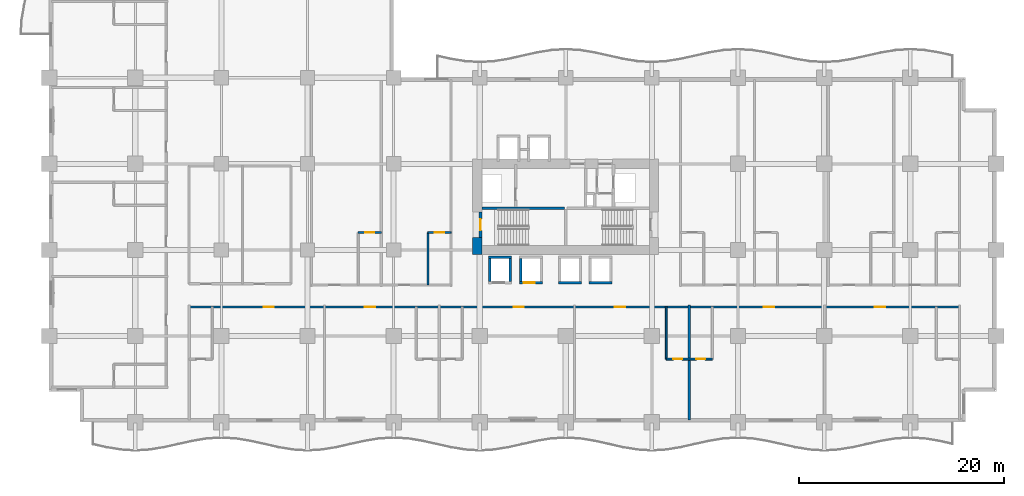
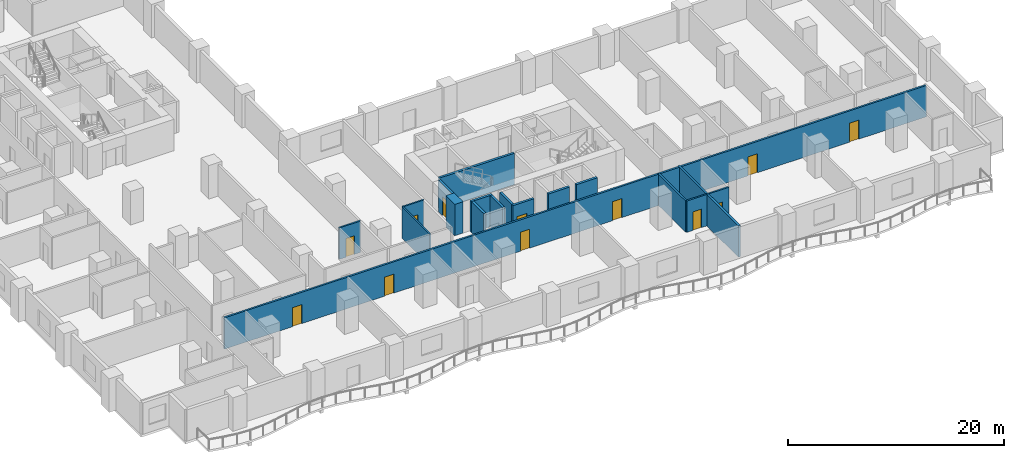
# One storey, part 9 of 24: 17 walls, 12 doors, 12 openings.
"""IFC4 building model written with IfcOpenShell, lengths in metres."""

import ifcopenshell
import ifcopenshell.guid

model = None  # the IFC model being written
_history = None  # IfcOwnerHistory: only IFC2X3 demands one
_inside = {}  # id of a spatial element -> (the spatial element, [elements in it])
_under = {}  # id of a project, library or spatial element -> (it, [spatial elements below it])
_declared = {}  # id of a project -> (the project, [libraries it declares])
_typed = {}  # id of a type object -> (the type object, [elements of that type])
_made_of = {}  # id of a material, layer set ... -> (it, [elements and type objects made of it])


def new_model(schema):
    """Start an empty IFC model of exactly this schema.

    Asked for "IFC4X3", IfcOpenShell would pick the latest addendum, in which some entities
    have other attributes; the version numbers below select the first issue.
    IFC2X3 requires an IfcOwnerHistory on every rooted entity: one is made here for all.
    """
    global model, _history
    if schema == "IFC4X3":
        model = ifcopenshell.file(schema_version=(4, 3, 0, 0))
    else:
        model = ifcopenshell.file(schema=schema)
    _inside.clear()
    _under.clear()
    _declared.clear()
    _typed.clear()
    _made_of.clear()
    _history = None
    if model.schema == "IFC2X3":
        org = make("IfcOrganization", Name="unknown")
        user = make(
            "IfcPersonAndOrganization",
            ThePerson=make("IfcPerson", FamilyName="unknown"),
            TheOrganization=org,
        )
        app = make(
            "IfcApplication",
            ApplicationDeveloper=org,
            Version="unknown",
            ApplicationFullName="unknown",
            ApplicationIdentifier="unknown",
        )
        _history = make(
            "IfcOwnerHistory",
            OwningUser=user,
            OwningApplication=app,
            ChangeAction="ADDED",
            CreationDate=0,
        )
    return model


def make(cls, **values):
    """One entity of the class cls with the attributes given. An attribute that is None is left unset."""
    return model.create_entity(
        cls, **{name: value for name, value in values.items() if value is not None}
    )


def rooted(cls, **values):
    """An entity with a GlobalId (a new one), such as an element, a storey or a relation."""
    return make(cls, GlobalId=ifcopenshell.guid.new(), OwnerHistory=_history, **values)


def si_unit(unit_type, name, prefix=None):
    """IfcSIUnit, for example si_unit("LENGTHUNIT", "METRE", prefix="MILLI")."""
    return make("IfcSIUnit", UnitType=unit_type, Prefix=prefix, Name=name)


def assignment(units):
    """IfcUnitAssignment: the units of a project."""
    return None if units is None else make("IfcUnitAssignment", Units=units)


def point(xyz):
    """IfcCartesianPoint."""
    return None if xyz is None else make("IfcCartesianPoint", Coordinates=xyz)


def direction(xyz):
    """IfcDirection."""
    return None if xyz is None else make("IfcDirection", DirectionRatios=xyz)


def frame(location, z_axis=None, x_axis=None):
    """IfcAxis2Placement3D, a coordinate frame: its origin and axes. An axis left out is left unset."""
    return make(
        "IfcAxis2Placement3D",
        Location=point(location),
        Axis=direction(z_axis),
        RefDirection=direction(x_axis),
    )


def frame_2d(location, x_axis=None):
    """IfcAxis2Placement2D, a coordinate frame in the plane: its origin and x axis."""
    return make(
        "IfcAxis2Placement2D", Location=point(location), RefDirection=direction(x_axis)
    )


def origin():
    """The frame at (0, 0, 0) with its axes left unset."""
    return frame((0.0, 0.0, 0.0))


def place(relative_to, where):
    """IfcLocalPlacement: puts the frame where relative to a parent placement (None: the world)."""
    return make(
        "IfcLocalPlacement", PlacementRelTo=relative_to, RelativePlacement=where
    )


def context(
    kind, dimensions, precision=None, world=None, true_north=None, identifier=None
):
    """IfcGeometricRepresentationContext, for example the 3D "Model" context."""
    return make(
        "IfcGeometricRepresentationContext",
        ContextIdentifier=identifier,
        ContextType=kind,
        CoordinateSpaceDimension=dimensions,
        Precision=precision,
        WorldCoordinateSystem=world,
        TrueNorth=true_north,
    )


def subcontext(parent, identifier, kind, view, scale=None):
    """IfcGeometricRepresentationSubContext, for example "Body" below "Model"."""
    return make(
        "IfcGeometricRepresentationSubContext",
        ContextIdentifier=identifier,
        ContextType=kind,
        ParentContext=parent,
        TargetScale=scale,
        TargetView=view,
    )


def project(units=None, contexts=None):
    """IfcProject with its units and contexts."""
    return rooted(
        "IfcProject",
        Name="project",
        RepresentationContexts=contexts,
        UnitsInContext=assignment(units),
    )


def spatial(cls, under=None, at=None, **own):
    """A site, building, storey or space (cls), placed at a placement, below another one or the project."""
    s = rooted(cls, ObjectPlacement=at, **own)
    if under is not None:
        _under.setdefault(under.id(), (under, []))[1].append(s)
    return s


def profile(cls, at=None, kind="AREA", **sizes):
    """A parametric profile (cls). Its sizes go by their IFC names, for example OverallWidth=200.0."""
    return make(cls, ProfileType=kind, Position=at, **sizes)


def rectangle(**sizes):
    """IfcRectangleProfileDef."""
    return profile("IfcRectangleProfileDef", **sizes)


def extrude(swept, where, along, depth):
    """IfcExtrudedAreaSolid: the profile swept, set in the frame where, extruded along a direction by depth."""
    return make(
        "IfcExtrudedAreaSolid",
        SweptArea=swept,
        Position=where,
        ExtrudedDirection=direction(along),
        Depth=depth,
    )


def shape(context_of_items, identifier, shape_type, items):
    """IfcShapeRepresentation: the items that make up one representation, for example the "Body"."""
    return make(
        "IfcShapeRepresentation",
        ContextOfItems=context_of_items,
        RepresentationIdentifier=identifier,
        RepresentationType=shape_type,
        Items=items,
    )


def material(Name=None, Category=None):
    """IfcMaterial."""
    return make("IfcMaterial", Name=Name, Category=Category)


def layer(
    of_material, thickness, ventilated=None, Name=None, Category=None, Priority=None
):
    """IfcMaterialLayer: one layer of a wall or slab, of a material (None: an air gap)."""
    return make(
        "IfcMaterialLayer",
        Material=of_material,
        LayerThickness=thickness,
        IsVentilated=ventilated,
        Name=Name,
        Category=Category,
        Priority=Priority,
    )


def layer_set(layers, Name=None):
    """IfcMaterialLayerSet."""
    return make("IfcMaterialLayerSet", MaterialLayers=layers, LayerSetName=Name)


def made_of(thing, what):
    """Note that an element or type object is made of a material, layer set ...; save() writes the relation."""
    if what is not None:
        _made_of.setdefault(what.id(), (what, []))[1].append(thing)
    return thing


def type_object(cls, material=None, **own):
    """A type object (cls), such as IfcWallType, which elements share."""
    return made_of(rooted(cls, **own), material)


def element(
    cls,
    number,
    at=None,
    inside=None,
    cuts=None,
    type_object=None,
    material=None,
    context=None,
    identifier="Body",
    shape_type=None,
    held_by="IfcProductDefinitionShape",
    body=None,
    shapes=None,
    **own,
):
    """One element of the class cls, such as IfcWall. Its Tag is "e" and its number.

    at: its placement. inside: the storey or other place that contains it. cuts: it is an
    opening in that element (IfcRelVoidsElement). A single representation is given by context,
    identifier, shape_type and body (its items); several are given by shapes. held_by: the class
    of the entity that holds the representations. save() writes the other relations.
    """
    e = rooted(cls, Tag="e%d" % number, ObjectPlacement=at, **own)
    if body is not None:
        shapes = [shape(context, identifier, shape_type, body)]
    if shapes is not None:
        e.Representation = make(held_by, Representations=shapes)
    if inside is not None:
        _inside.setdefault(inside.id(), (inside, []))[1].append(e)
    if cuts is not None:
        rooted(
            "IfcRelVoidsElement", RelatingBuildingElement=cuts, RelatedOpeningElement=e
        )
    if type_object is not None:
        _typed.setdefault(type_object.id(), (type_object, []))[1].append(e)
    return made_of(e, material)


def fill(opening, filler):
    """IfcRelFillsElement: the door or window that sits in an opening."""
    return rooted(
        "IfcRelFillsElement",
        RelatingOpeningElement=opening,
        RelatedBuildingElement=filler,
    )


def aggregate(whole, parts):
    """IfcRelAggregates: a whole, such as a stair, and the parts it consists of."""
    return rooted("IfcRelAggregates", RelatingObject=whole, RelatedObjects=parts)


def save(model, path):
    """Write the relations noted so far, then the file.

    IfcRelAggregates (storeys below a building ...), IfcRelContainedInSpatialStructure (elements
    in a storey), IfcRelDefinesByType, IfcRelAssociatesMaterial and IfcRelDeclares: one each for
    every whole, place, type object, material and project.
    """
    for whole, parts in _under.values():
        aggregate(whole, parts)
    for where, things in _inside.values():
        rooted(
            "IfcRelContainedInSpatialStructure",
            RelatedElements=things,
            RelatingStructure=where,
        )
    for kind, things in _typed.values():
        rooted("IfcRelDefinesByType", RelatedObjects=things, RelatingType=kind)
    for what, things in _made_of.values():
        rooted("IfcRelAssociatesMaterial", RelatedObjects=things, RelatingMaterial=what)
    for by, libraries in _declared.values():
        rooted("IfcRelDeclares", RelatingContext=by, RelatedDefinitions=libraries)
    model.write(path)


model = new_model("IFC4")

# Units and contexts
model_context = context("Model", 3, precision=1e-05, world=origin(), true_north=direction((0.0, 1.0)))
body_context = subcontext(model_context, "Body", "Model", "MODEL_VIEW")
ifc_project = project(units=[si_unit("LENGTHUNIT", "METRE"), si_unit("AREAUNIT", "SQUARE_METRE"), si_unit("VOLUMEUNIT", "CUBIC_METRE"), si_unit("PLANEANGLEUNIT", "RADIAN"), si_unit("MASSUNIT", "GRAM", prefix="KILO")], contexts=[model_context])

# Site, building, storey
site_placement = place(None, origin())
site = spatial("IfcSite", under=ifc_project, at=site_placement, CompositionType="ELEMENT")
building_placement = place(site_placement, origin())
building = spatial("IfcBuilding", under=site, at=building_placement, Name="Koriwani Terraces Tower", CompositionType="ELEMENT")
storey_placement = place(building_placement, frame((0.0, 0.0, 47.199951171875)))
storey = spatial("IfcBuildingStorey", under=building, at=storey_placement, Name="L10", CompositionType="ELEMENT", Elevation=47.199951171875)

# Wall
ifc_material_1 = material(Name="Concrete C60/75", Category="concrete")
ifc_layer_1 = layer(ifc_material_1, 0.89990234375, Name="Concrete C60/75")
ifc_layer_set_1 = layer_set([ifc_layer_1], Name="Concrete C60/75")
wall_type_1 = type_object("IfcWallType", Name="WALL_CORE_RC_900", PredefinedType="SHEAR", material=ifc_layer_set_1)
wall_1_placement = place(storey_placement, frame((41.75, 16.35009765625, 0.0), z_axis=(0.0, 0.0, 1.0), x_axis=(0.0, 1.0, 0.0)))
element("IfcWall", 1, at=wall_1_placement, inside=storey, type_object=wall_type_1, Name="L10 East Split Core Shear Wall W1", PredefinedType="SHEAR", context=body_context, shape_type="SweptSolid", body=[
    extrude(rectangle(XDim=1.64990234375, YDim=0.89990234375, at=frame_2d((0.824951171875, 0.0))), origin(), (0.0, 0.0, 1.0), 3.550048828125),
])

# Wall, openings, doors
ifc_material_2 = material(Name="Autoclaved Cellular Concrete Blockwork", Category="masonry")
ifc_layer_2 = layer(ifc_material_2, 0.199951171875, Name="Autoclaved Cellular Concrete Blockwork")
ifc_layer_set_2 = layer_set([ifc_layer_2], Name="Autoclaved Cellular Concrete Blockwork")
wall_type_2 = type_object("IfcWallType", Name="WALL_CORRIDOR_200", PredefinedType="PARTITIONING", material=ifc_layer_set_2)
wall_2_placement = place(storey_placement, frame((13.64990234375, 11.25, 0.0), z_axis=(0.0, 0.0, 1.0), x_axis=(1.0, 0.0, 0.0)))
wall_2 = element("IfcWall", 2, at=wall_2_placement, inside=storey, type_object=wall_type_2, Name="L10 Interior Wall WCOR-L10-SW-0", PredefinedType="PARTITIONING", context=body_context, shape_type="SweptSolid", body=[
    extrude(rectangle(XDim=75.150146484375, YDim=0.199951171875, at=frame_2d((37.5751953125, 0.0))), origin(), (0.0, 0.0, 1.0), 3.550048828125),
])
opening_1_placement = place(wall_2_placement, frame((7.264892578125, 0.0, 0.0)))
opening_1 = element("IfcOpeningElement", 3, at=opening_1_placement, cuts=wall_2, Name="Opening D-05", PredefinedType="OPENING", context=body_context, shape_type="SweptSolid", body=[
    extrude(rectangle(XDim=1.0, YDim=2.14990234375, at=frame_2d((0.5, 1.074951171875))), frame((0.0, 0.10986328125, 0.0), z_axis=(0.0, -1.0, 0.0), x_axis=(1.0, 0.0, 0.0)), (0.0, 0.0, 1.0), 0.219970703125),
])
opening_2_placement = place(wall_2_placement, frame((17.135009765625, 0.0, 0.0)))
opening_2 = element("IfcOpeningElement", 4, at=opening_2_placement, cuts=wall_2, Name="Opening D-05", PredefinedType="OPENING", context=body_context, shape_type="SweptSolid", body=[
    extrude(rectangle(XDim=1.0, YDim=2.14990234375, at=frame_2d((0.5, 1.074951171875))), frame((0.0, 0.10986328125, 0.0), z_axis=(0.0, -1.0, 0.0), x_axis=(1.0, 0.0, 0.0)), (0.0, 0.0, 1.0), 0.219970703125),
])
opening_3_placement = place(wall_2_placement, frame((31.6650390625, 0.0, 0.0)))
opening_3 = element("IfcOpeningElement", 5, at=opening_3_placement, cuts=wall_2, Name="Opening D-05", PredefinedType="OPENING", context=body_context, shape_type="SweptSolid", body=[
    extrude(rectangle(XDim=1.0, YDim=2.14990234375, at=frame_2d((0.5, 1.074951171875))), frame((0.0, 0.10986328125, 0.0), z_axis=(0.0, -1.0, 0.0), x_axis=(1.0, 0.0, 0.0)), (0.0, 0.0, 1.0), 0.219970703125),
])
opening_4_placement = place(wall_2_placement, frame((41.534912109375, 0.0, 0.0)))
opening_4 = element("IfcOpeningElement", 6, at=opening_4_placement, cuts=wall_2, Name="Opening D-05", PredefinedType="OPENING", context=body_context, shape_type="SweptSolid", body=[
    extrude(rectangle(XDim=1.0, YDim=2.14990234375, at=frame_2d((0.5, 1.074951171875))), frame((0.0, 0.10986328125, 0.0), z_axis=(0.0, -1.0, 0.0), x_axis=(1.0, 0.0, 0.0)), (0.0, 0.0, 1.0), 0.219970703125),
])
opening_5_placement = place(wall_2_placement, frame((56.06494140625, 0.0, 0.0)))
opening_5 = element("IfcOpeningElement", 7, at=opening_5_placement, cuts=wall_2, Name="Opening D-05", PredefinedType="OPENING", context=body_context, shape_type="SweptSolid", body=[
    extrude(rectangle(XDim=1.0, YDim=2.14990234375, at=frame_2d((0.5, 1.074951171875))), frame((0.0, 0.10986328125, 0.0), z_axis=(0.0, -1.0, 0.0), x_axis=(1.0, 0.0, 0.0)), (0.0, 0.0, 1.0), 0.219970703125),
])
opening_6_placement = place(wall_2_placement, frame((66.909912109375, 0.0, 0.0)))
opening_6 = element("IfcOpeningElement", 8, at=opening_6_placement, cuts=wall_2, Name="Opening D-05", PredefinedType="OPENING", context=body_context, shape_type="SweptSolid", body=[
    extrude(rectangle(XDim=1.0, YDim=2.14990234375, at=frame_2d((0.5, 1.074951171875))), frame((0.0, 0.10986328125, 0.0), z_axis=(0.0, -1.0, 0.0), x_axis=(1.0, 0.0, 0.0)), (0.0, 0.0, 1.0), 0.219970703125),
])
ifc_material_3 = material(Name="Architectural Oak Fire Door", Category="wood")
door_type_1 = type_object("IfcDoorType", Name="DOOR_SUITE_ENTRY_1000X2150", OperationType="NOTDEFINED", PredefinedType="DOOR", material=ifc_material_3)
door_1_placement = place(opening_1_placement, origin())
door_1 = element("IfcDoor", 9, at=door_1_placement, inside=storey, type_object=door_type_1, Name="Luxury Hotel Suite 10SW1 Entrance Door", OperationType="SINGLE_SWING_RIGHT", OverallHeight=2.14990234375, OverallWidth=1.0, PredefinedType="DOOR", context=body_context, shape_type="SweptSolid", body=[
    extrude(rectangle(XDim=1.0, YDim=2.14990234375, at=frame_2d((0.5, 1.074951171875))), frame((0.0, 0.02490234375, 0.0), z_axis=(0.0, -1.0, 0.0), x_axis=(1.0, 0.0, 0.0)), (0.0, 0.0, 1.0), 0.050048828125),
])
fill(opening_1, door_1)
door_2_placement = place(opening_2_placement, origin())
door_2 = element("IfcDoor", 10, at=door_2_placement, inside=storey, type_object=door_type_1, Name="Luxury Hotel Suite 10SW2 Entrance Door", OperationType="SINGLE_SWING_RIGHT", OverallHeight=2.14990234375, OverallWidth=1.0, PredefinedType="DOOR", context=body_context, shape_type="SweptSolid", body=[
    extrude(rectangle(XDim=1.0, YDim=2.14990234375, at=frame_2d((0.5, 1.074951171875))), frame((0.0, 0.02490234375, 0.0), z_axis=(0.0, -1.0, 0.0), x_axis=(1.0, 0.0, 0.0)), (0.0, 0.0, 1.0), 0.050048828125),
])
fill(opening_2, door_2)
door_3_placement = place(opening_3_placement, origin())
door_3 = element("IfcDoor", 11, at=door_3_placement, inside=storey, type_object=door_type_1, Name="Luxury Hotel Suite 10SW3 Entrance Door", OperationType="SINGLE_SWING_RIGHT", OverallHeight=2.14990234375, OverallWidth=1.0, PredefinedType="DOOR", context=body_context, shape_type="SweptSolid", body=[
    extrude(rectangle(XDim=1.0, YDim=2.14990234375, at=frame_2d((0.5, 1.074951171875))), frame((0.0, 0.02490234375, 0.0), z_axis=(0.0, -1.0, 0.0), x_axis=(1.0, 0.0, 0.0)), (0.0, 0.0, 1.0), 0.050048828125),
])
fill(opening_3, door_3)
door_4_placement = place(opening_4_placement, origin())
door_4 = element("IfcDoor", 12, at=door_4_placement, inside=storey, type_object=door_type_1, Name="Luxury Hotel Suite 10SW4 Entrance Door", OperationType="SINGLE_SWING_RIGHT", OverallHeight=2.14990234375, OverallWidth=1.0, PredefinedType="DOOR", context=body_context, shape_type="SweptSolid", body=[
    extrude(rectangle(XDim=1.0, YDim=2.14990234375, at=frame_2d((0.5, 1.074951171875))), frame((0.0, 0.02490234375, 0.0), z_axis=(0.0, -1.0, 0.0), x_axis=(1.0, 0.0, 0.0)), (0.0, 0.0, 1.0), 0.050048828125),
])
fill(opening_4, door_4)
door_5_placement = place(opening_5_placement, origin())
door_5 = element("IfcDoor", 13, at=door_5_placement, inside=storey, type_object=door_type_1, Name="Luxury Hotel Suite 10SW5 Entrance Door", OperationType="SINGLE_SWING_RIGHT", OverallHeight=2.14990234375, OverallWidth=1.0, PredefinedType="DOOR", context=body_context, shape_type="SweptSolid", body=[
    extrude(rectangle(XDim=1.0, YDim=2.14990234375, at=frame_2d((0.5, 1.074951171875))), frame((0.0, 0.02490234375, 0.0), z_axis=(0.0, -1.0, 0.0), x_axis=(1.0, 0.0, 0.0)), (0.0, 0.0, 1.0), 0.050048828125),
])
fill(opening_5, door_5)
door_6_placement = place(opening_6_placement, origin())
door_6 = element("IfcDoor", 14, at=door_6_placement, inside=storey, type_object=door_type_1, Name="Luxury Hotel Suite 10SW6 Entrance Door", OperationType="SINGLE_SWING_RIGHT", OverallHeight=2.14990234375, OverallWidth=1.0, PredefinedType="DOOR", context=body_context, shape_type="SweptSolid", body=[
    extrude(rectangle(XDim=1.0, YDim=2.14990234375, at=frame_2d((0.5, 1.074951171875))), frame((0.0, 0.02490234375, 0.0), z_axis=(0.0, -1.0, 0.0), x_axis=(1.0, 0.0, 0.0)), (0.0, 0.0, 1.0), 0.050048828125),
])
fill(opening_6, door_6)

# Wall
ifc_layer_3 = layer(ifc_material_2, 0.219970703125, Name="Autoclaved Cellular Concrete Blockwork")
ifc_layer_set_3 = layer_set([ifc_layer_3], Name="Autoclaved Cellular Concrete Blockwork")
wall_type_3 = type_object("IfcWallType", Name="WALL_DEMISING_220", PredefinedType="PARTITIONING", material=ifc_layer_set_3)
wall_3_placement = place(storey_placement, frame((62.449951171875, 0.199951171875, 0.0), z_axis=(0.0, 0.0, 1.0), x_axis=(0.0, 1.0, 0.0)))
element("IfcWall", 15, at=wall_3_placement, inside=storey, type_object=wall_type_3, Name="L10 Interior Wall WDEM-L10-SW-4", PredefinedType="PARTITIONING", context=body_context, shape_type="SweptSolid", body=[
    extrude(rectangle(XDim=11.22998046875, YDim=0.219970703125, at=frame_2d((5.614990234375, 0.0))), origin(), (0.0, 0.0, 1.0), 3.550048828125),
])

# Wall, opening, door
ifc_material_4 = material(Name="Fire-Rated Acoustic Gypsum Partition", Category="masonry")
ifc_layer_4 = layer(ifc_material_4, 0.179931640625, Name="Fire-Rated Acoustic Gypsum Partition")
ifc_layer_set_4 = layer_set([ifc_layer_4], Name="Fire-Rated Acoustic Gypsum Partition")
wall_type_4 = type_object("IfcWallType", Name="WALL_PLUMBING_180", PredefinedType="PLUMBINGWALL", material=ifc_layer_set_4)
wall_4_placement = place(storey_placement, frame((30.14990234375, 18.5, 0.0), z_axis=(0.0, 0.0, 1.0), x_axis=(1.0, 0.0, 0.0)))
wall_4 = element("IfcWall", 16, at=wall_4_placement, inside=storey, type_object=wall_type_4, Name="L10 Interior Wall WBTH1-L10-SWI-0", PredefinedType="PLUMBINGWALL", context=body_context, shape_type="SweptSolid", body=[
    extrude(rectangle(XDim=2.25, YDim=0.179931640625, at=frame_2d((1.125, 0.0))), origin(), (0.0, 0.0, 1.0), 3.550048828125),
])
opening_7_placement = place(wall_4_placement, frame((0.675048828125, 0.0, 0.0)))
opening_7 = element("IfcOpeningElement", 17, at=opening_7_placement, cuts=wall_4, Name="Opening D-07", PredefinedType="OPENING", context=body_context, shape_type="SweptSolid", body=[
    extrude(rectangle(XDim=0.89990234375, YDim=2.10009765625, at=frame_2d((0.449951171875, 1.050048828125))), frame((0.0, 0.10009765625, 0.0), z_axis=(0.0, -1.0, 0.0), x_axis=(1.0, 0.0, 0.0)), (0.0, 0.0, 1.0), 0.199951171875),
])
door_type_2 = type_object("IfcDoorType", Name="DOOR_BATH_INT_900X2100", OperationType="NOTDEFINED", PredefinedType="DOOR", material=ifc_material_3)
door_7_placement = place(opening_7_placement, origin())
door_7 = element("IfcDoor", 18, at=door_7_placement, inside=storey, type_object=door_type_2, Name="En-Suite Bathroom 10SWI1 Door", OperationType="SINGLE_SWING_LEFT", OverallHeight=2.10009765625, OverallWidth=0.89990234375, PredefinedType="DOOR", context=body_context, shape_type="SweptSolid", body=[
    extrude(rectangle(XDim=0.89990234375, YDim=2.10009765625, at=frame_2d((0.449951171875, 1.050048828125))), frame((0.0, 0.02490234375, 0.0), z_axis=(0.0, -1.0, 0.0), x_axis=(1.0, 0.0, 0.0)), (0.0, 0.0, 1.0), 0.050048828125),
])
fill(opening_7, door_7)

wall_5_placement = place(storey_placement, frame((36.949951171875, 18.5, 0.0), z_axis=(0.0, 0.0, 1.0), x_axis=(1.0, 0.0, 0.0)))
wall_5 = element("IfcWall", 19, at=wall_5_placement, inside=storey, type_object=wall_type_4, Name="L10 Interior Wall WBTH1-L10-SWI-1", PredefinedType="PLUMBINGWALL", context=body_context, shape_type="SweptSolid", body=[
    extrude(rectangle(XDim=2.25, YDim=0.179931640625, at=frame_2d((1.125, 0.0))), origin(), (0.0, 0.0, 1.0), 3.550048828125),
])
opening_8_placement = place(wall_5_placement, frame((0.675048828125, 0.0, 0.0)))
opening_8 = element("IfcOpeningElement", 20, at=opening_8_placement, cuts=wall_5, Name="Opening D-07", PredefinedType="OPENING", context=body_context, shape_type="SweptSolid", body=[
    extrude(rectangle(XDim=0.89990234375, YDim=2.10009765625, at=frame_2d((0.449951171875, 1.050048828125))), frame((0.0, 0.10009765625, 0.0), z_axis=(0.0, -1.0, 0.0), x_axis=(1.0, 0.0, 0.0)), (0.0, 0.0, 1.0), 0.199951171875),
])
door_8_placement = place(opening_8_placement, origin())
door_8 = element("IfcDoor", 21, at=door_8_placement, inside=storey, type_object=door_type_2, Name="En-Suite Bathroom 10SWI2 Door", OperationType="SINGLE_SWING_LEFT", OverallHeight=2.10009765625, OverallWidth=0.89990234375, PredefinedType="DOOR", context=body_context, shape_type="SweptSolid", body=[
    extrude(rectangle(XDim=0.89990234375, YDim=2.10009765625, at=frame_2d((0.449951171875, 1.050048828125))), frame((0.0, 0.02490234375, 0.0), z_axis=(0.0, -1.0, 0.0), x_axis=(1.0, 0.0, 0.0)), (0.0, 0.0, 1.0), 0.050048828125),
])
fill(opening_8, door_8)

# Wall
wall_6_placement = place(storey_placement, frame((36.949951171875, 13.39990234375, 0.0), z_axis=(0.0, 0.0, 1.0), x_axis=(0.0, 1.0, 0.0)))
element("IfcWall", 22, at=wall_6_placement, inside=storey, type_object=wall_type_4, Name="L10 Interior Wall WBTH2-L10-SWI-1", PredefinedType="PLUMBINGWALL", context=body_context, shape_type="SweptSolid", body=[
    extrude(rectangle(XDim=5.10009765625, YDim=0.179931640625, at=frame_2d((2.550048828125, 0.0))), origin(), (0.0, 0.0, 1.0), 3.550048828125),
])

# Wall, openings, doors
wall_7_placement = place(storey_placement, frame((60.199951171875, 6.14990234375, 0.0), z_axis=(0.0, 0.0, 1.0), x_axis=(1.0, 0.0, 0.0)))
wall_7 = element("IfcWall", 23, at=wall_7_placement, inside=storey, type_object=wall_type_4, Name="L10 Interior Wall WBTH1-L10-SW-3", PredefinedType="PLUMBINGWALL", context=body_context, shape_type="SweptSolid", body=[
    extrude(rectangle(XDim=4.5, YDim=0.179931640625, at=frame_2d((2.25, 0.0))), origin(), (0.0, 0.0, 1.0), 3.550048828125),
])
opening_9_placement = place(wall_7_placement, frame((0.675048828125, 0.0, 0.0)))
opening_9 = element("IfcOpeningElement", 24, at=opening_9_placement, cuts=wall_7, Name="Opening D-07", PredefinedType="OPENING", context=body_context, shape_type="SweptSolid", body=[
    extrude(rectangle(XDim=0.89990234375, YDim=2.10009765625, at=frame_2d((0.449951171875, 1.050048828125))), frame((0.0, 0.10009765625, 0.0), z_axis=(0.0, -1.0, 0.0), x_axis=(1.0, 0.0, 0.0)), (0.0, 0.0, 1.0), 0.199951171875),
])
opening_10_placement = place(wall_7_placement, frame((2.925048828125, 0.0, 0.0)))
opening_10 = element("IfcOpeningElement", 25, at=opening_10_placement, cuts=wall_7, Name="Opening D-07", PredefinedType="OPENING", context=body_context, shape_type="SweptSolid", body=[
    extrude(rectangle(XDim=0.89990234375, YDim=2.10009765625, at=frame_2d((0.449951171875, 1.050048828125))), frame((0.0, 0.10009765625, 0.0), z_axis=(0.0, -1.0, 0.0), x_axis=(1.0, 0.0, 0.0)), (0.0, 0.0, 1.0), 0.199951171875),
])
door_9_placement = place(opening_9_placement, origin())
door_9 = element("IfcDoor", 26, at=door_9_placement, inside=storey, type_object=door_type_2, Name="En-Suite Bathroom 10SW4 Door", OperationType="SINGLE_SWING_LEFT", OverallHeight=2.10009765625, OverallWidth=0.89990234375, PredefinedType="DOOR", context=body_context, shape_type="SweptSolid", body=[
    extrude(rectangle(XDim=0.89990234375, YDim=2.10009765625, at=frame_2d((0.449951171875, 1.050048828125))), frame((0.0, 0.02490234375, 0.0), z_axis=(0.0, -1.0, 0.0), x_axis=(1.0, 0.0, 0.0)), (0.0, 0.0, 1.0), 0.050048828125),
])
fill(opening_9, door_9)
door_10_placement = place(opening_10_placement, origin())
door_10 = element("IfcDoor", 27, at=door_10_placement, inside=storey, type_object=door_type_2, Name="En-Suite Bathroom 10SW5 Door", OperationType="SINGLE_SWING_LEFT", OverallHeight=2.10009765625, OverallWidth=0.89990234375, PredefinedType="DOOR", context=body_context, shape_type="SweptSolid", body=[
    extrude(rectangle(XDim=0.89990234375, YDim=2.10009765625, at=frame_2d((0.449951171875, 1.050048828125))), frame((0.0, 0.02490234375, 0.0), z_axis=(0.0, -1.0, 0.0), x_axis=(1.0, 0.0, 0.0)), (0.0, 0.0, 1.0), 0.050048828125),
])
fill(opening_10, door_10)

# Walls
wall_8_placement = place(storey_placement, frame((60.199951171875, 6.14990234375, 0.0), z_axis=(0.0, 0.0, 1.0), x_axis=(0.0, 1.0, 0.0)))
element("IfcWall", 28, at=wall_8_placement, inside=storey, type_object=wall_type_4, Name="L10 Interior Wall WBTH2-L10-SW-3", PredefinedType="PLUMBINGWALL", context=body_context, shape_type="SweptSolid", body=[
    extrude(rectangle(XDim=5.10009765625, YDim=0.179931640625, at=frame_2d((2.550048828125, 0.0))), origin(), (0.0, 0.0, 1.0), 3.550048828125),
])
ifc_material_5 = material(Name="Concrete C40/50", Category="concrete")
ifc_layer_5 = layer(ifc_material_5, 0.25, Name="Concrete C40/50")
ifc_layer_set_5 = layer_set([ifc_layer_5], Name="Concrete C40/50")
wall_type_5 = type_object("IfcWallType", Name="WALL_SHAFT_RATED_250", PredefinedType="SOLIDWALL", material=ifc_layer_set_5)
wall_9_placement = place(storey_placement, frame((42.199951171875, 20.875, 0.0), z_axis=(0.0, 0.0, 1.0), x_axis=(1.0, 0.0, 0.0)))
element("IfcWall", 29, at=wall_9_placement, inside=storey, type_object=wall_type_5, Name="L10 East Split Core Web Wall MID1", PredefinedType="SOLIDWALL", context=body_context, shape_type="SweptSolid", body=[
    extrude(rectangle(XDim=8.050048828125, YDim=0.25, at=frame_2d((4.02490234375, 0.0))), origin(), (0.0, 0.0, 1.0), 3.550048828125),
])

# Wall, opening, door
wall_10_placement = place(storey_placement, frame((42.074951171875, 18.0, 0.0), z_axis=(0.0, 0.0, 1.0), x_axis=(0.0, 1.0, 0.0)))
wall_10 = element("IfcWall", 30, at=wall_10_placement, inside=storey, type_object=wall_type_5, Name="L10 Interior Wall WIN-CE-L10-STW", PredefinedType="SOLIDWALL", context=body_context, shape_type="SweptSolid", body=[
    extrude(rectangle(XDim=2.5, YDim=0.25, at=frame_2d((1.25, 0.0))), origin(), (0.0, 0.0, 1.0), 3.550048828125),
])
opening_11_placement = place(wall_10_placement, frame((0.699951171875, 0.0, 0.0)))
opening_11 = element("IfcOpeningElement", 31, at=opening_11_placement, cuts=wall_10, Name="Opening D-03", PredefinedType="OPENING", context=body_context, shape_type="SweptSolid", body=[
    extrude(rectangle(XDim=1.10009765625, YDim=2.14990234375, at=frame_2d((0.550048828125, 1.074951171875))), frame((0.0, 0.135009765625, 0.0), z_axis=(0.0, -1.0, 0.0), x_axis=(1.0, 0.0, 0.0)), (0.0, 0.0, 1.0), 0.27001953125),
])
ifc_material_6 = material(Name="Steel ASTM A572 Grade 50", Category="steel")
door_type_3 = type_object("IfcDoorType", Name="DOOR_STAIR_FIRE_1100X2150", OperationType="NOTDEFINED", PredefinedType="DOOR", material=ifc_material_6)
door_11_placement = place(opening_11_placement, origin())
door_11 = element("IfcDoor", 32, at=door_11_placement, inside=storey, type_object=door_type_3, Name="L10 Exit Stair ST-E1 Door", OperationType="SINGLE_SWING_RIGHT", OverallHeight=2.14990234375, OverallWidth=1.10009765625, PredefinedType="DOOR", context=body_context, shape_type="SweptSolid", body=[
    extrude(rectangle(XDim=1.10009765625, YDim=2.14990234375, at=frame_2d((0.550048828125, 1.074951171875))), frame((0.0, 0.02490234375, 0.0), z_axis=(0.0, -1.0, 0.0), x_axis=(1.0, 0.0, 0.0)), (0.0, 0.0, 1.0), 0.050048828125),
])
fill(opening_11, door_11)

# Walls
for number, where, z_axis, x_axis, name in (
    (33, (42.875, 16.10009765625, 0.0), (0.0, 0.0, 1.0), (1.0, 0.0, 0.0), "L10 Interior Wall WIN-LF-PE-L3-L10-B"),
    (34, (43.0, 13.72509765625, 0.0), (0.0, 0.0, 1.0), (0.0, 1.0, 0.0), "L10 Interior Wall WIN-LF-PE-L3-L10-W"),
    (35, (45.0, 13.72509765625, 0.0), (0.0, 0.0, 1.0), (0.0, 1.0, 0.0), "L10 Interior Wall WIN-LF-PE-L3-L10-E"),
):
    element("IfcWall", number, at=place(storey_placement, frame(where, z_axis=z_axis, x_axis=x_axis)), inside=storey, type_object=wall_type_5, Name=name, PredefinedType="SOLIDWALL", context=body_context, shape_type="SweptSolid", body=[
        extrude(rectangle(XDim=2.25, YDim=0.25, at=frame_2d((1.125, 0.0))), origin(), (0.0, 0.0, 1.0), 3.550048828125),
    ])

# Wall, opening, door
wall_11_placement = place(storey_placement, frame((45.875, 13.60009765625, 0.0), z_axis=(0.0, 0.0, 1.0), x_axis=(1.0, 0.0, 0.0)))
wall_11 = element("IfcWall", 36, at=wall_11_placement, inside=storey, type_object=wall_type_5, Name="L10 Interior Wall WIN-LF-PE-L4-L10-F", PredefinedType="SOLIDWALL", context=body_context, shape_type="SweptSolid", body=[
    extrude(rectangle(XDim=2.25, YDim=0.25, at=frame_2d((1.125, 0.0))), origin(), (0.0, 0.0, 1.0), 3.550048828125),
])
opening_12_placement = place(wall_11_placement, frame((0.39990234375, 0.0, 0.0)))
opening_12 = element("IfcOpeningElement", 37, at=opening_12_placement, cuts=wall_11, Name="Opening LD-01", PredefinedType="OPENING", context=body_context, shape_type="SweptSolid", body=[
    extrude(rectangle(XDim=1.10009765625, YDim=2.14990234375, at=frame_2d((0.550048828125, 1.074951171875))), frame((0.0, 0.135009765625, 0.0), z_axis=(0.0, -1.0, 0.0), x_axis=(1.0, 0.0, 0.0)), (0.0, 0.0, 1.0), 0.27001953125),
])
door_type_4 = type_object("IfcDoorType", Name="DOOR_LIFT_LANDING_1100X2200", OperationType="NOTDEFINED", PredefinedType="DOOR", material=ifc_material_6)
door_12_placement = place(opening_12_placement, origin())
door_12 = element("IfcDoor", 38, at=door_12_placement, inside=storey, type_object=door_type_4, Name="L10 Passenger Lift PE-L4 Landing Door", OperationType="SLIDING_TO_LEFT", OverallHeight=2.14990234375, OverallWidth=1.10009765625, PredefinedType="DOOR", context=body_context, shape_type="SweptSolid", body=[
    extrude(rectangle(XDim=1.10009765625, YDim=2.14990234375, at=frame_2d((0.550048828125, 1.074951171875))), frame((0.0, 0.02490234375, 0.0), z_axis=(0.0, -1.0, 0.0), x_axis=(1.0, 0.0, 0.0)), (0.0, 0.0, 1.0), 0.050048828125),
])
fill(opening_12, door_12)

# Walls
for number, where, z_axis, x_axis, name in (
    (39, (46.0, 13.72509765625, 0.0), (0.0, 0.0, 1.0), (0.0, 1.0, 0.0), "L10 Interior Wall WIN-LF-PE-L4-L10-W"),
    (40, (49.675048828125, 13.60009765625, 0.0), (0.0, 0.0, 1.0), (1.0, 0.0, 0.0), "L10 Interior Wall WIN-LF-PE-M3-L10-F"),
    (41, (52.675048828125, 13.60009765625, 0.0), (0.0, 0.0, 1.0), (1.0, 0.0, 0.0), "L10 Interior Wall WIN-LF-PE-M4-L10-F"),
):
    element("IfcWall", number, at=place(storey_placement, frame(where, z_axis=z_axis, x_axis=x_axis)), inside=storey, type_object=wall_type_5, Name=name, PredefinedType="SOLIDWALL", context=body_context, shape_type="SweptSolid", body=[
        extrude(rectangle(XDim=2.25, YDim=0.25, at=frame_2d((1.125, 0.0))), origin(), (0.0, 0.0, 1.0), 3.550048828125),
    ])

save(model, "model.ifc")
